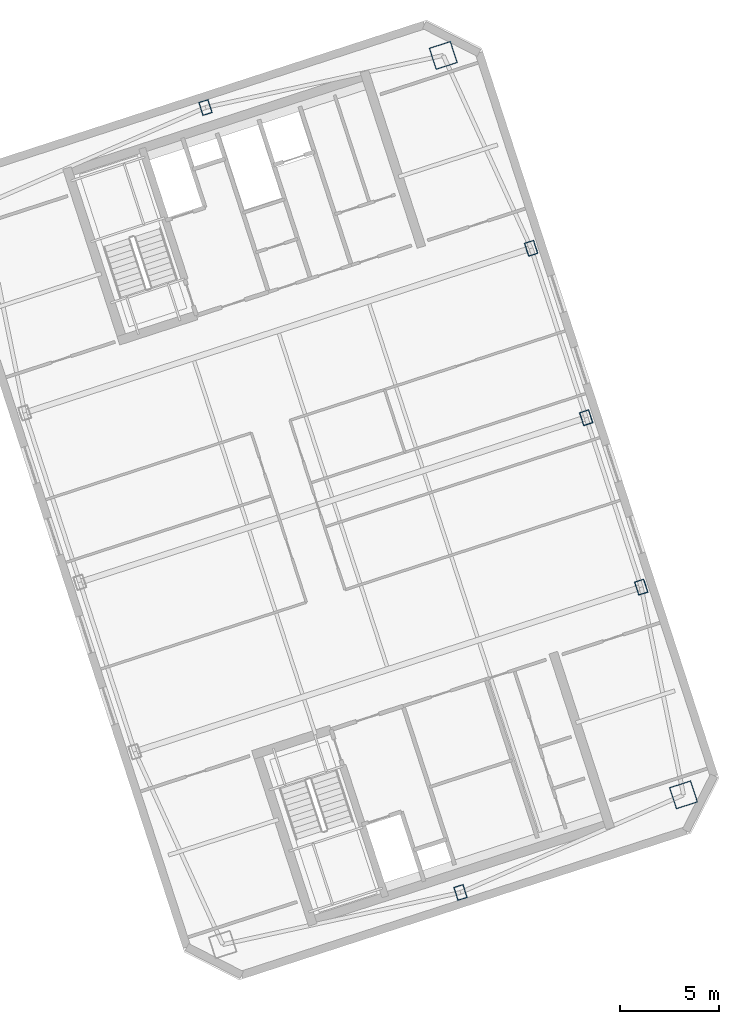
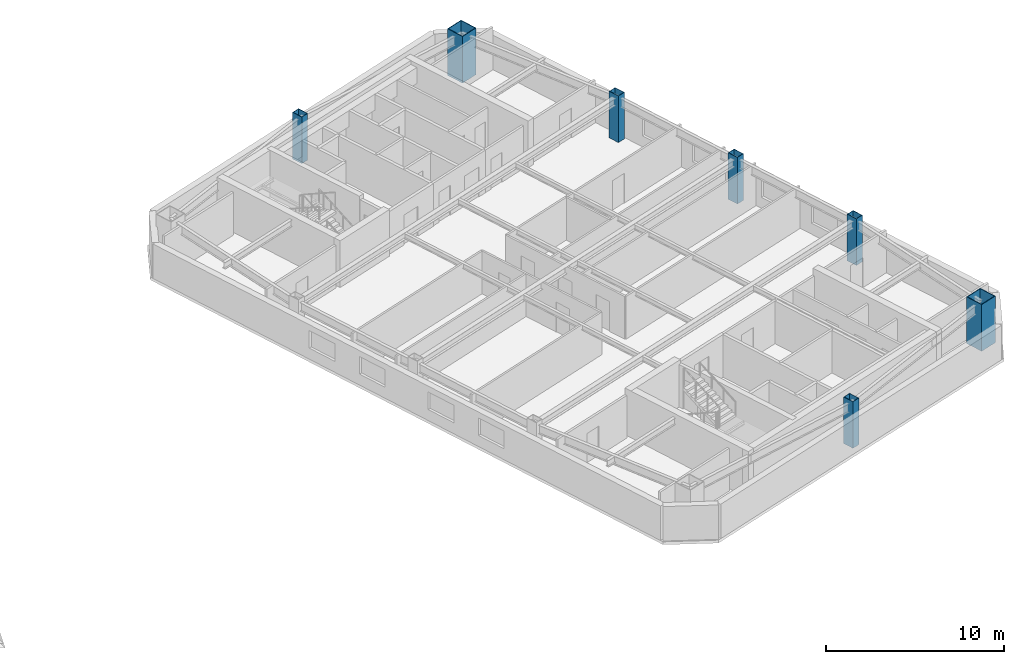
# One storey, part 2 of 13: 7 columns.
"""IFC4 building model written with IfcOpenShell, lengths in metres."""

from ifc_helpers import new_model, si_unit, direction, frame, origin, origin_2d, place, context, subcontext, project, spatial, hollow_rectangle, extrude, material, material_profile, profile_set, type_object, element, save


model = new_model("IFC4")

# Units and contexts
model_context = context("Model", 3, precision=1e-05, world=origin(), true_north=direction((0.0, 1.0)))
body_context = subcontext(model_context, "Body", "Model", "MODEL_VIEW")
ifc_project = project(units=[si_unit("LENGTHUNIT", "METRE"), si_unit("AREAUNIT", "SQUARE_METRE"), si_unit("VOLUMEUNIT", "CUBIC_METRE"), si_unit("PLANEANGLEUNIT", "RADIAN"), si_unit("MASSUNIT", "GRAM", prefix="KILO")], contexts=[model_context])

# Site, building, storey
site_placement = place(None, origin())
site = spatial("IfcSite", under=ifc_project, at=site_placement, CompositionType="ELEMENT")
building_placement = place(site_placement, origin())
building = spatial("IfcBuilding", under=site, at=building_placement, Name="Qiaolan Cultural Towers", CompositionType="ELEMENT")
storey_placement = place(building_placement, frame((0.0, 0.0, 234.39990234375)))
storey = spatial("IfcBuildingStorey", under=building, at=storey_placement, Name="L63", CompositionType="ELEMENT", Elevation=234.39990234375)

# Columns
ifc_material_1 = material(Name="Steel Q390GJB", Category="steel")
ifc_material_profile_1 = material_profile(ifc_material_1, hollow_rectangle(XDim=1.14990234375, YDim=1.14990234375, WallThickness=0.0400390625, at=origin_2d()), Name="BOX1150x1150x40")
ifc_profile_set_1 = profile_set([ifc_material_profile_1], Name="Steel Q390GJB")
column_type_1 = type_object("IfcColumnType", Name="COL-BOX1150x1150x40", PredefinedType="COLUMN", material=ifc_profile_set_1)
for number, where, z_axis, x_axis, name in (
    (1, (107.7099609375, 19.103515625, 0.0), (0.0, 0.0, 1.0), (0.951056516295, 0.309016994375, 0.0), "L63 T2 Perimeter Column MC-SE"),
    (2, (95.57177734375, 56.461181640625, 0.0), (0.0, 0.0, 1.0), (0.951056516295, 0.309016994375, 0.0), "L63 T2 Perimeter Column MC-NE"),
):
    element("IfcColumn", number, at=place(storey_placement, frame(where, z_axis=z_axis, x_axis=x_axis)), inside=storey, type_object=column_type_1, Name=name, PredefinedType="COLUMN", context=body_context, shape_type="SweptSolid", body=[
        extrude(hollow_rectangle(XDim=1.14990234375, YDim=1.14990234375, WallThickness=0.0400390625, at=origin_2d()), origin(), (0.0, 0.0, 1.0), 3.201171875),
    ])
ifc_material_2 = material(Name="Steel Q355B", Category="steel")
ifc_material_profile_2 = material_profile(ifc_material_2, hollow_rectangle(XDim=0.5, YDim=0.699951171875, WallThickness=0.02490234375, at=origin_2d()), Name="BOX700x500x25")
ifc_profile_set_2 = profile_set([ifc_material_profile_2], Name="Steel Q355B")
column_type_2 = type_object("IfcColumnType", Name="COL-BOX700x500x25", PredefinedType="COLUMN", material=ifc_profile_set_2)
for number, where, z_axis, x_axis, name in (
    (3, (105.57275390625, 29.5966796875, 0.0), (0.0, 0.0, 1.0), (0.951056516295, 0.309016994375, 0.0), "L63 T2 Perimeter Column PC-E1"),
    (4, (102.791748046875, 38.15625, 0.0), (0.0, 0.0, 1.0), (0.951056516295, 0.309016994375, 0.0), "L63 T2 Perimeter Column PC-E2"),
    (5, (100.010498046875, 46.7158203125, 0.0), (0.0, 0.0, 1.0), (0.951056516295, 0.309016994375, 0.0), "L63 T2 Perimeter Column PC-E3"),
    (6, (96.443115234375, 14.17041015625, 0.0), (0.0, 0.0, 1.0), (0.951056516295, 0.309016994375, 0.0), "L63 T2 Perimeter Column PC-S0"),
    (7, (83.556884765625, 53.82958984375, 0.0), (0.0, 0.0, 1.0), (0.951056516295, 0.309016994375, 0.0), "L63 T2 Perimeter Column PC-N0"),
):
    element("IfcColumn", number, at=place(storey_placement, frame(where, z_axis=z_axis, x_axis=x_axis)), inside=storey, type_object=column_type_2, Name=name, PredefinedType="COLUMN", context=body_context, shape_type="SweptSolid", body=[
        extrude(hollow_rectangle(XDim=0.5, YDim=0.699951171875, WallThickness=0.02490234375, at=origin_2d()), origin(), (0.0, 0.0, 1.0), 3.201171875),
    ])

save(model, "model.ifc")
